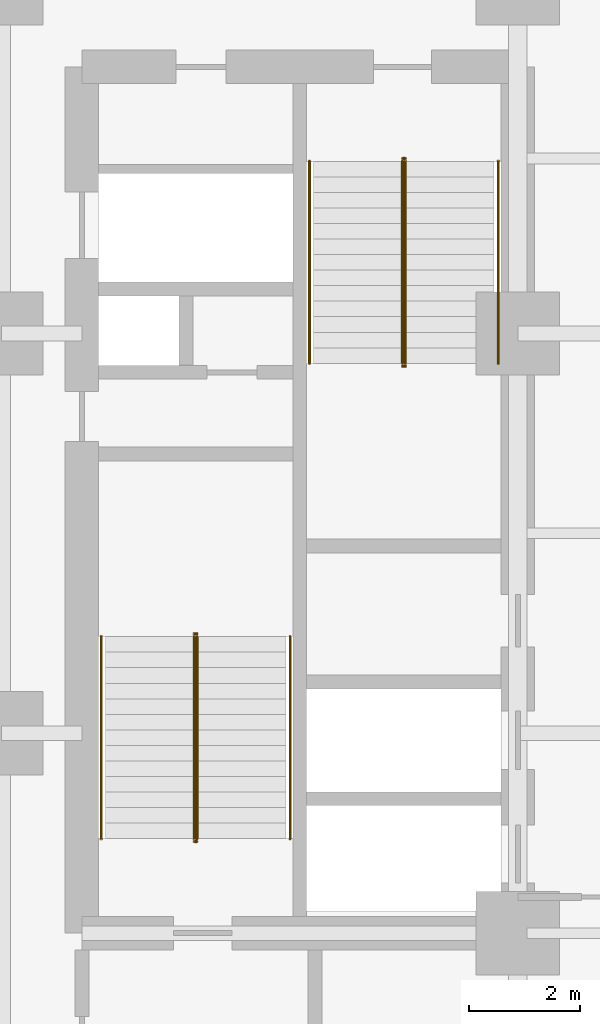
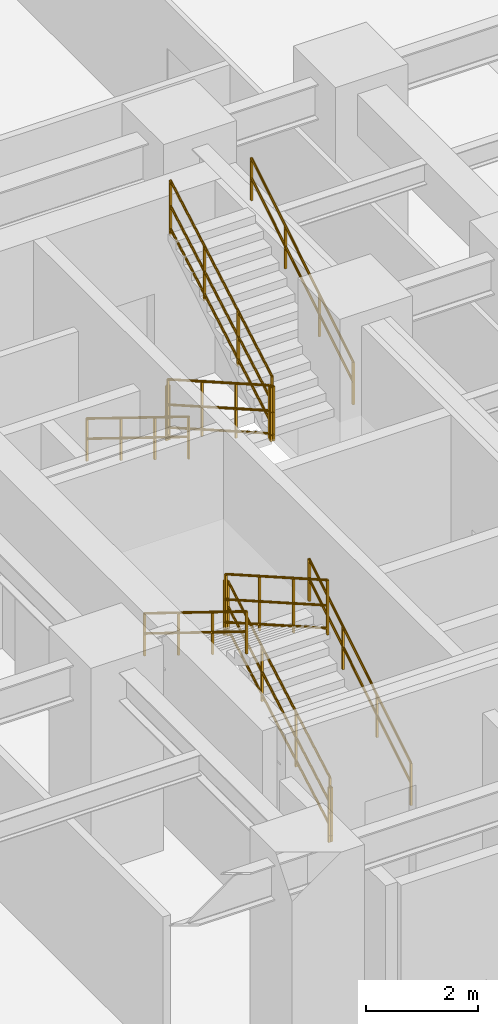
# One storey, part 13 of 14: 12 railings.
"""IFC4 building model written with IfcOpenShell, lengths in metres."""

from ifc_helpers import new_model, entity, si_unit, converted_unit, direction, frame, origin_with_axes, origin_2d_with_axis, place, context, subcontext, project, spatial, rectangle, circle, extrude, material, type_object, element, save


model = new_model("IFC4")

# Units and contexts
model_context = context("Model", 3, precision=1e-05, world=origin_with_axes(), true_north=direction((0.0, 1.0)))
body_context = subcontext(model_context, "Body", "Model", "MODEL_VIEW")
ifc_project = project(units=[si_unit("LENGTHUNIT", "METRE"), si_unit("AREAUNIT", "SQUARE_METRE"), si_unit("VOLUMEUNIT", "CUBIC_METRE"), converted_unit("PLANEANGLEUNIT", "DEGREE", entity("IfcPlaneAngleMeasure", 0.017453292519943295), si_unit("PLANEANGLEUNIT", "RADIAN"), dimensions=[0, 0, 0, 0, 0, 0, 0]), si_unit("MASSUNIT", "GRAM", prefix="KILO"), si_unit("THERMODYNAMICTEMPERATUREUNIT", "KELVIN")], contexts=[model_context])

# Site, building, storey
site_placement = place(None, origin_with_axes())
site = spatial("IfcSite", under=ifc_project, at=site_placement, CompositionType="ELEMENT")
building_placement = place(site_placement, origin_with_axes())
building = spatial("IfcBuilding", under=site, at=building_placement, Name="Varnlund Millrace Tower", CompositionType="ELEMENT")
storey_placement = place(building_placement, frame((0.0, 0.0, 24.3), z_axis=(0.0, 0.0, 1.0), x_axis=(1.0, 0.0, 0.0)))
storey = spatial("IfcBuildingStorey", under=building, at=storey_placement, Name="L05", CompositionType="ELEMENT", Elevation=24.3)

# Railings
ifc_material_1 = material(Name="Painted steel stair well balustrade guard", Category="steel")
railing_type_1 = type_object("IfcRailingType", Name="Type-StairGuard-1150", PredefinedType="GUARDRAIL", material=ifc_material_1)
railing_1_placement = place(storey_placement, frame((0.0, 0.0, -24.3), z_axis=(0.0, 0.0, 1.0), x_axis=(1.0, 0.0, 0.0)))
element("IfcRailing", 1, at=railing_1_placement, inside=storey, type_object=railing_type_1, Name="Type-StairGuard-1150", PredefinedType="GUARDRAIL", context=body_context, shape_type="SweptSolid", body=[
    extrude(circle(Radius=0.024, at=origin_2d_with_axis()), frame((42.275, 8.9, 25.623077), z_axis=(0.0, 0.868559, 0.495585), x_axis=(-1.0, 0.0, 0.0)), (0.0, 0.0, 1.0), 4.190848),
    extrude(circle(Radius=0.024, at=origin_2d_with_axis()), frame((42.275, 8.9, 24.573077), z_axis=(0.0, 0.868559, 0.495585), x_axis=(-1.0, 0.0, 0.0)), (0.0, 0.0, 1.0), 4.190848),
    extrude(circle(Radius=0.024, at=origin_2d_with_axis()), frame((42.275, 8.9, 25.071077), z_axis=(0.0, 0.868559, 0.495585), x_axis=(-1.0, 0.0, 0.0)), (0.0, 0.0, 1.0), 4.190848),
    extrude(rectangle(XDim=0.04, YDim=0.04, at=origin_2d_with_axis()), frame((42.275, 8.9, 24.433077), z_axis=(0.0, 0.0, 1.0), x_axis=(1.0, 0.0, 0.0)), (0.0, 0.0, 1.0), 1.19),
    extrude(rectangle(XDim=0.04, YDim=0.04, at=origin_2d_with_axis()), frame((42.275, 10.113333, 25.125385), z_axis=(0.0, 0.0, 1.0), x_axis=(1.0, 0.0, 0.0)), (0.0, 0.0, 1.0), 1.19),
    extrude(rectangle(XDim=0.04, YDim=0.04, at=origin_2d_with_axis()), frame((42.275, 11.326667, 25.817692), z_axis=(0.0, 0.0, 1.0), x_axis=(1.0, 0.0, 0.0)), (0.0, 0.0, 1.0), 1.19),
    extrude(rectangle(XDim=0.04, YDim=0.04, at=origin_2d_with_axis()), frame((42.275, 12.54, 26.51), z_axis=(0.0, 0.0, 1.0), x_axis=(1.0, 0.0, 0.0)), (0.0, 0.0, 1.0), 1.19),
])
railing_2_placement = place(storey_placement, frame((0.0, 0.0, -24.3), z_axis=(0.0, 0.0, 1.0), x_axis=(1.0, 0.0, 0.0)))
element("IfcRailing", 2, at=railing_2_placement, inside=storey, type_object=railing_type_1, Name="Type-StairGuard-1150", PredefinedType="GUARDRAIL", context=body_context, shape_type="SweptSolid", body=[
    extrude(circle(Radius=0.024, at=origin_2d_with_axis()), frame((42.225, 12.59, 27.7), z_axis=(1.0, 0.0, 0.0), x_axis=(0.0, 1.0, 0.0)), (0.0, 0.0, 1.0), 0.05),
    extrude(circle(Radius=0.024, at=origin_2d_with_axis()), frame((42.225, 12.59, 26.65), z_axis=(1.0, 0.0, 0.0), x_axis=(0.0, 1.0, 0.0)), (0.0, 0.0, 1.0), 0.05),
    extrude(circle(Radius=0.024, at=origin_2d_with_axis()), frame((42.225, 12.59, 27.148), z_axis=(1.0, 0.0, 0.0), x_axis=(0.0, 1.0, 0.0)), (0.0, 0.0, 1.0), 0.05),
    extrude(rectangle(XDim=0.04, YDim=0.04, at=origin_2d_with_axis()), frame((42.225, 12.59, 26.51), z_axis=(0.0, 0.0, 1.0), x_axis=(1.0, 0.0, 0.0)), (0.0, 0.0, 1.0), 1.19),
    extrude(rectangle(XDim=0.04, YDim=0.04, at=origin_2d_with_axis()), frame((42.275, 12.59, 26.51), z_axis=(0.0, 0.0, 1.0), x_axis=(1.0, 0.0, 0.0)), (0.0, 0.0, 1.0), 1.19),
])
railing_3_placement = place(storey_placement, frame((0.0, 0.0, -24.3), z_axis=(0.0, 0.0, 1.0), x_axis=(1.0, 0.0, 0.0)))
element("IfcRailing", 3, at=railing_3_placement, inside=storey, type_object=railing_type_1, Name="Type-StairGuard-1150", PredefinedType="GUARDRAIL", context=body_context, shape_type="SweptSolid", body=[
    extrude(circle(Radius=0.024, at=origin_2d_with_axis()), frame((42.225, 12.54, 27.873077), z_axis=(0.0, -0.868559, 0.495585), x_axis=(1.0, 0.0, 0.0)), (0.0, 0.0, 1.0), 4.190848),
    extrude(circle(Radius=0.024, at=origin_2d_with_axis()), frame((42.225, 12.54, 26.823077), z_axis=(0.0, -0.868559, 0.495585), x_axis=(1.0, 0.0, 0.0)), (0.0, 0.0, 1.0), 4.190848),
    extrude(circle(Radius=0.024, at=origin_2d_with_axis()), frame((42.225, 12.54, 27.321077), z_axis=(0.0, -0.868559, 0.495585), x_axis=(1.0, 0.0, 0.0)), (0.0, 0.0, 1.0), 4.190848),
    extrude(rectangle(XDim=0.04, YDim=0.04, at=origin_2d_with_axis()), frame((42.225, 12.54, 26.683077), z_axis=(0.0, 0.0, 1.0), x_axis=(1.0, 0.0, 0.0)), (0.0, 0.0, 1.0), 1.19),
    extrude(rectangle(XDim=0.04, YDim=0.04, at=origin_2d_with_axis()), frame((42.225, 11.326667, 27.375385), z_axis=(0.0, 0.0, 1.0), x_axis=(1.0, 0.0, 0.0)), (0.0, 0.0, 1.0), 1.19),
    extrude(rectangle(XDim=0.04, YDim=0.04, at=origin_2d_with_axis()), frame((42.225, 10.113333, 28.067692), z_axis=(0.0, 0.0, 1.0), x_axis=(1.0, 0.0, 0.0)), (0.0, 0.0, 1.0), 1.19),
    extrude(rectangle(XDim=0.04, YDim=0.04, at=origin_2d_with_axis()), frame((42.225, 8.9, 28.76), z_axis=(0.0, 0.0, 1.0), x_axis=(1.0, 0.0, 0.0)), (0.0, 0.0, 1.0), 1.19),
])
railing_4_placement = place(storey_placement, frame((0.0, 0.0, -24.3), z_axis=(0.0, 0.0, 1.0), x_axis=(1.0, 0.0, 0.0)))
element("IfcRailing", 4, at=railing_4_placement, inside=storey, type_object=railing_type_1, Name="Type-StairGuard-1150", PredefinedType="GUARDRAIL", context=body_context, shape_type="SweptSolid", body=[
    extrude(circle(Radius=0.024, at=origin_2d_with_axis()), frame((42.225, 8.85, 25.45), z_axis=(1.0, 0.0, 0.0), x_axis=(0.0, 1.0, 0.0)), (0.0, 0.0, 1.0), 0.05),
    extrude(circle(Radius=0.024, at=origin_2d_with_axis()), frame((42.225, 8.85, 24.4), z_axis=(1.0, 0.0, 0.0), x_axis=(0.0, 1.0, 0.0)), (0.0, 0.0, 1.0), 0.05),
    extrude(circle(Radius=0.024, at=origin_2d_with_axis()), frame((42.225, 8.85, 24.898), z_axis=(1.0, 0.0, 0.0), x_axis=(0.0, 1.0, 0.0)), (0.0, 0.0, 1.0), 0.05),
    extrude(rectangle(XDim=0.04, YDim=0.04, at=origin_2d_with_axis()), frame((42.225, 8.85, 24.26), z_axis=(0.0, 0.0, 1.0), x_axis=(1.0, 0.0, 0.0)), (0.0, 0.0, 1.0), 1.19),
    extrude(rectangle(XDim=0.04, YDim=0.04, at=origin_2d_with_axis()), frame((42.275, 8.85, 24.26), z_axis=(0.0, 0.0, 1.0), x_axis=(1.0, 0.0, 0.0)), (0.0, 0.0, 1.0), 1.19),
])
railing_5_placement = place(storey_placement, frame((0.0, 0.0, -24.3), z_axis=(0.0, 0.0, 1.0), x_axis=(1.0, 0.0, 0.0)))
element("IfcRailing", 5, at=railing_5_placement, inside=storey, type_object=railing_type_1, Name="Type-StairGuard-1150", PredefinedType="GUARDRAIL", context=body_context, shape_type="SweptSolid", body=[
    extrude(circle(Radius=0.024, at=origin_2d_with_axis()), frame((45.975, 21.1, 25.623077), z_axis=(0.0, -0.868559, 0.495585), x_axis=(1.0, 0.0, 0.0)), (0.0, 0.0, 1.0), 4.190848),
    extrude(circle(Radius=0.024, at=origin_2d_with_axis()), frame((45.975, 21.1, 24.573077), z_axis=(0.0, -0.868559, 0.495585), x_axis=(1.0, 0.0, 0.0)), (0.0, 0.0, 1.0), 4.190848),
    extrude(circle(Radius=0.024, at=origin_2d_with_axis()), frame((45.975, 21.1, 25.071077), z_axis=(0.0, -0.868559, 0.495585), x_axis=(1.0, 0.0, 0.0)), (0.0, 0.0, 1.0), 4.190848),
    extrude(rectangle(XDim=0.04, YDim=0.04, at=origin_2d_with_axis()), frame((45.975, 21.1, 24.433077), z_axis=(0.0, 0.0, 1.0), x_axis=(1.0, 0.0, 0.0)), (0.0, 0.0, 1.0), 1.19),
    extrude(rectangle(XDim=0.04, YDim=0.04, at=origin_2d_with_axis()), frame((45.975, 19.886667, 25.125385), z_axis=(0.0, 0.0, 1.0), x_axis=(1.0, 0.0, 0.0)), (0.0, 0.0, 1.0), 1.19),
    extrude(rectangle(XDim=0.04, YDim=0.04, at=origin_2d_with_axis()), frame((45.975, 18.673333, 25.817692), z_axis=(0.0, 0.0, 1.0), x_axis=(1.0, 0.0, 0.0)), (0.0, 0.0, 1.0), 1.19),
    extrude(rectangle(XDim=0.04, YDim=0.04, at=origin_2d_with_axis()), frame((45.975, 17.46, 26.51), z_axis=(0.0, 0.0, 1.0), x_axis=(1.0, 0.0, 0.0)), (0.0, 0.0, 1.0), 1.19),
])
railing_6_placement = place(storey_placement, frame((0.0, 0.0, -24.3), z_axis=(0.0, 0.0, 1.0), x_axis=(1.0, 0.0, 0.0)))
element("IfcRailing", 6, at=railing_6_placement, inside=storey, type_object=railing_type_1, Name="Type-StairGuard-1150", PredefinedType="GUARDRAIL", context=body_context, shape_type="SweptSolid", body=[
    extrude(circle(Radius=0.024, at=origin_2d_with_axis()), frame((46.025, 17.41, 27.7), z_axis=(-1.0, 0.0, 0.0), x_axis=(0.0, -1.0, 0.0)), (0.0, 0.0, 1.0), 0.05),
    extrude(circle(Radius=0.024, at=origin_2d_with_axis()), frame((46.025, 17.41, 26.65), z_axis=(-1.0, 0.0, 0.0), x_axis=(0.0, -1.0, 0.0)), (0.0, 0.0, 1.0), 0.05),
    extrude(circle(Radius=0.024, at=origin_2d_with_axis()), frame((46.025, 17.41, 27.148), z_axis=(-1.0, 0.0, 0.0), x_axis=(0.0, -1.0, 0.0)), (0.0, 0.0, 1.0), 0.05),
    extrude(rectangle(XDim=0.04, YDim=0.04, at=origin_2d_with_axis()), frame((46.025, 17.41, 26.51), z_axis=(0.0, 0.0, 1.0), x_axis=(1.0, 0.0, 0.0)), (0.0, 0.0, 1.0), 1.19),
    extrude(rectangle(XDim=0.04, YDim=0.04, at=origin_2d_with_axis()), frame((45.975, 17.41, 26.51), z_axis=(0.0, 0.0, 1.0), x_axis=(1.0, 0.0, 0.0)), (0.0, 0.0, 1.0), 1.19),
])
railing_7_placement = place(storey_placement, frame((0.0, 0.0, -24.3), z_axis=(0.0, 0.0, 1.0), x_axis=(1.0, 0.0, 0.0)))
element("IfcRailing", 7, at=railing_7_placement, inside=storey, type_object=railing_type_1, Name="Type-StairGuard-1150", PredefinedType="GUARDRAIL", context=body_context, shape_type="SweptSolid", body=[
    extrude(circle(Radius=0.024, at=origin_2d_with_axis()), frame((46.025, 17.46, 27.873077), z_axis=(0.0, 0.868559, 0.495585), x_axis=(-1.0, 0.0, 0.0)), (0.0, 0.0, 1.0), 4.190848),
    extrude(circle(Radius=0.024, at=origin_2d_with_axis()), frame((46.025, 17.46, 26.823077), z_axis=(0.0, 0.868559, 0.495585), x_axis=(-1.0, 0.0, 0.0)), (0.0, 0.0, 1.0), 4.190848),
    extrude(circle(Radius=0.024, at=origin_2d_with_axis()), frame((46.025, 17.46, 27.321077), z_axis=(0.0, 0.868559, 0.495585), x_axis=(-1.0, 0.0, 0.0)), (0.0, 0.0, 1.0), 4.190848),
    extrude(rectangle(XDim=0.04, YDim=0.04, at=origin_2d_with_axis()), frame((46.025, 17.46, 26.683077), z_axis=(0.0, 0.0, 1.0), x_axis=(1.0, 0.0, 0.0)), (0.0, 0.0, 1.0), 1.19),
    extrude(rectangle(XDim=0.04, YDim=0.04, at=origin_2d_with_axis()), frame((46.025, 18.673333, 27.375385), z_axis=(0.0, 0.0, 1.0), x_axis=(1.0, 0.0, 0.0)), (0.0, 0.0, 1.0), 1.19),
    extrude(rectangle(XDim=0.04, YDim=0.04, at=origin_2d_with_axis()), frame((46.025, 19.886667, 28.067692), z_axis=(0.0, 0.0, 1.0), x_axis=(1.0, 0.0, 0.0)), (0.0, 0.0, 1.0), 1.19),
    extrude(rectangle(XDim=0.04, YDim=0.04, at=origin_2d_with_axis()), frame((46.025, 21.1, 28.76), z_axis=(0.0, 0.0, 1.0), x_axis=(1.0, 0.0, 0.0)), (0.0, 0.0, 1.0), 1.19),
])
railing_8_placement = place(storey_placement, frame((0.0, 0.0, -24.3), z_axis=(0.0, 0.0, 1.0), x_axis=(1.0, 0.0, 0.0)))
element("IfcRailing", 8, at=railing_8_placement, inside=storey, type_object=railing_type_1, Name="Type-StairGuard-1150", PredefinedType="GUARDRAIL", context=body_context, shape_type="SweptSolid", body=[
    extrude(circle(Radius=0.024, at=origin_2d_with_axis()), frame((46.025, 21.15, 25.45), z_axis=(-1.0, 0.0, 0.0), x_axis=(0.0, -1.0, 0.0)), (0.0, 0.0, 1.0), 0.05),
    extrude(circle(Radius=0.024, at=origin_2d_with_axis()), frame((46.025, 21.15, 24.4), z_axis=(-1.0, 0.0, 0.0), x_axis=(0.0, -1.0, 0.0)), (0.0, 0.0, 1.0), 0.05),
    extrude(circle(Radius=0.024, at=origin_2d_with_axis()), frame((46.025, 21.15, 24.898), z_axis=(-1.0, 0.0, 0.0), x_axis=(0.0, -1.0, 0.0)), (0.0, 0.0, 1.0), 0.05),
    extrude(rectangle(XDim=0.04, YDim=0.04, at=origin_2d_with_axis()), frame((46.025, 21.15, 24.26), z_axis=(0.0, 0.0, 1.0), x_axis=(1.0, 0.0, 0.0)), (0.0, 0.0, 1.0), 1.19),
    extrude(rectangle(XDim=0.04, YDim=0.04, at=origin_2d_with_axis()), frame((45.975, 21.15, 24.26), z_axis=(0.0, 0.0, 1.0), x_axis=(1.0, 0.0, 0.0)), (0.0, 0.0, 1.0), 1.19),
])
ifc_material_2 = material(Name="Brushed architectural bronze stair handrail", Category="aluminium")
railing_type_2 = type_object("IfcRailingType", Name="Type-StairHandrail-900", PredefinedType="HANDRAIL", material=ifc_material_2)
railing_9_placement = place(storey_placement, frame((0.0, 0.0, -24.3), z_axis=(0.0, 0.0, 1.0), x_axis=(1.0, 0.0, 0.0)))
element("IfcRailing", 9, at=railing_9_placement, inside=storey, type_object=railing_type_2, Name="Type-StairHandrail-900", PredefinedType="HANDRAIL", context=body_context, shape_type="SweptSolid", body=[
    extrude(circle(Radius=0.024, at=origin_2d_with_axis()), frame((43.95, 8.9, 25.352662), z_axis=(0.0, 0.850614, 0.525791), x_axis=(-1.0, 0.0, 0.0)), (0.0, 0.0, 1.0), 4.279264),
    extrude(circle(Radius=0.024, at=origin_2d_with_axis()), frame((43.95, 8.9, 24.91287), z_axis=(0.0, 0.850614, 0.525791), x_axis=(-1.0, 0.0, 0.0)), (0.0, 0.0, 1.0), 4.279264),
    extrude(rectangle(XDim=0.04, YDim=0.04, at=origin_2d_with_axis()), frame((43.95, 8.9, 24.433077), z_axis=(0.0, 0.0, 1.0), x_axis=(1.0, 0.0, 0.0)), (0.0, 0.0, 1.0), 0.919585),
    extrude(rectangle(XDim=0.04, YDim=0.04, at=origin_2d_with_axis()), frame((43.95, 10.113333, 25.183077), z_axis=(0.0, 0.0, 1.0), x_axis=(1.0, 0.0, 0.0)), (0.0, 0.0, 1.0), 0.919585),
    extrude(rectangle(XDim=0.04, YDim=0.04, at=origin_2d_with_axis()), frame((43.95, 11.326667, 25.933077), z_axis=(0.0, 0.0, 1.0), x_axis=(1.0, 0.0, 0.0)), (0.0, 0.0, 1.0), 0.919585),
    extrude(rectangle(XDim=0.04, YDim=0.04, at=origin_2d_with_axis()), frame((43.95, 12.54, 26.683077), z_axis=(0.0, 0.0, 1.0), x_axis=(1.0, 0.0, 0.0)), (0.0, 0.0, 1.0), 0.919585),
])
railing_10_placement = place(storey_placement, frame((0.0, 0.0, -24.3), z_axis=(0.0, 0.0, 1.0), x_axis=(1.0, 0.0, 0.0)))
element("IfcRailing", 10, at=railing_10_placement, inside=storey, type_object=railing_type_2, Name="Type-StairHandrail-900", PredefinedType="HANDRAIL", context=body_context, shape_type="SweptSolid", body=[
    extrude(circle(Radius=0.024, at=origin_2d_with_axis()), frame((40.55, 12.54, 27.602662), z_axis=(0.0, -0.850614, 0.525791), x_axis=(1.0, 0.0, 0.0)), (0.0, 0.0, 1.0), 4.279264),
    extrude(circle(Radius=0.024, at=origin_2d_with_axis()), frame((40.55, 12.54, 27.16287), z_axis=(0.0, -0.850614, 0.525791), x_axis=(1.0, 0.0, 0.0)), (0.0, 0.0, 1.0), 4.279264),
    extrude(rectangle(XDim=0.04, YDim=0.04, at=origin_2d_with_axis()), frame((40.55, 12.54, 26.683077), z_axis=(0.0, 0.0, 1.0), x_axis=(1.0, 0.0, 0.0)), (0.0, 0.0, 1.0), 0.919585),
    extrude(rectangle(XDim=0.04, YDim=0.04, at=origin_2d_with_axis()), frame((40.55, 11.326667, 27.433077), z_axis=(0.0, 0.0, 1.0), x_axis=(1.0, 0.0, 0.0)), (0.0, 0.0, 1.0), 0.919585),
    extrude(rectangle(XDim=0.04, YDim=0.04, at=origin_2d_with_axis()), frame((40.55, 10.113333, 28.183077), z_axis=(0.0, 0.0, 1.0), x_axis=(1.0, 0.0, 0.0)), (0.0, 0.0, 1.0), 0.919585),
    extrude(rectangle(XDim=0.04, YDim=0.04, at=origin_2d_with_axis()), frame((40.55, 8.9, 28.933077), z_axis=(0.0, 0.0, 1.0), x_axis=(1.0, 0.0, 0.0)), (0.0, 0.0, 1.0), 0.919585),
])
railing_11_placement = place(storey_placement, frame((0.0, 0.0, -24.3), z_axis=(0.0, 0.0, 1.0), x_axis=(1.0, 0.0, 0.0)))
element("IfcRailing", 11, at=railing_11_placement, inside=storey, type_object=railing_type_2, Name="Type-StairHandrail-900", PredefinedType="HANDRAIL", context=body_context, shape_type="SweptSolid", body=[
    extrude(circle(Radius=0.024, at=origin_2d_with_axis()), frame((44.3, 21.1, 25.352662), z_axis=(0.0, -0.850614, 0.525791), x_axis=(1.0, 0.0, 0.0)), (0.0, 0.0, 1.0), 4.279264),
    extrude(circle(Radius=0.024, at=origin_2d_with_axis()), frame((44.3, 21.1, 24.91287), z_axis=(0.0, -0.850614, 0.525791), x_axis=(1.0, 0.0, 0.0)), (0.0, 0.0, 1.0), 4.279264),
    extrude(rectangle(XDim=0.04, YDim=0.04, at=origin_2d_with_axis()), frame((44.3, 21.1, 24.433077), z_axis=(0.0, 0.0, 1.0), x_axis=(1.0, 0.0, 0.0)), (0.0, 0.0, 1.0), 0.919585),
    extrude(rectangle(XDim=0.04, YDim=0.04, at=origin_2d_with_axis()), frame((44.3, 19.886667, 25.183077), z_axis=(0.0, 0.0, 1.0), x_axis=(1.0, 0.0, 0.0)), (0.0, 0.0, 1.0), 0.919585),
    extrude(rectangle(XDim=0.04, YDim=0.04, at=origin_2d_with_axis()), frame((44.3, 18.673333, 25.933077), z_axis=(0.0, 0.0, 1.0), x_axis=(1.0, 0.0, 0.0)), (0.0, 0.0, 1.0), 0.919585),
    extrude(rectangle(XDim=0.04, YDim=0.04, at=origin_2d_with_axis()), frame((44.3, 17.46, 26.683077), z_axis=(0.0, 0.0, 1.0), x_axis=(1.0, 0.0, 0.0)), (0.0, 0.0, 1.0), 0.919585),
])
railing_12_placement = place(storey_placement, frame((0.0, 0.0, -24.3), z_axis=(0.0, 0.0, 1.0), x_axis=(1.0, 0.0, 0.0)))
element("IfcRailing", 12, at=railing_12_placement, inside=storey, type_object=railing_type_2, Name="Type-StairHandrail-900", PredefinedType="HANDRAIL", context=body_context, shape_type="SweptSolid", body=[
    extrude(circle(Radius=0.024, at=origin_2d_with_axis()), frame((47.7, 17.46, 27.602662), z_axis=(0.0, 0.850614, 0.525791), x_axis=(-1.0, 0.0, 0.0)), (0.0, 0.0, 1.0), 4.279264),
    extrude(circle(Radius=0.024, at=origin_2d_with_axis()), frame((47.7, 17.46, 27.16287), z_axis=(0.0, 0.850614, 0.525791), x_axis=(-1.0, 0.0, 0.0)), (0.0, 0.0, 1.0), 4.279264),
    extrude(rectangle(XDim=0.04, YDim=0.04, at=origin_2d_with_axis()), frame((47.7, 17.46, 26.683077), z_axis=(0.0, 0.0, 1.0), x_axis=(1.0, 0.0, 0.0)), (0.0, 0.0, 1.0), 0.919585),
    extrude(rectangle(XDim=0.04, YDim=0.04, at=origin_2d_with_axis()), frame((47.7, 18.673333, 27.433077), z_axis=(0.0, 0.0, 1.0), x_axis=(1.0, 0.0, 0.0)), (0.0, 0.0, 1.0), 0.919585),
    extrude(rectangle(XDim=0.04, YDim=0.04, at=origin_2d_with_axis()), frame((47.7, 19.886667, 28.183077), z_axis=(0.0, 0.0, 1.0), x_axis=(1.0, 0.0, 0.0)), (0.0, 0.0, 1.0), 0.919585),
    extrude(rectangle(XDim=0.04, YDim=0.04, at=origin_2d_with_axis()), frame((47.7, 21.1, 28.933077), z_axis=(0.0, 0.0, 1.0), x_axis=(1.0, 0.0, 0.0)), (0.0, 0.0, 1.0), 0.919585),
])

save(model, "model.ifc")
